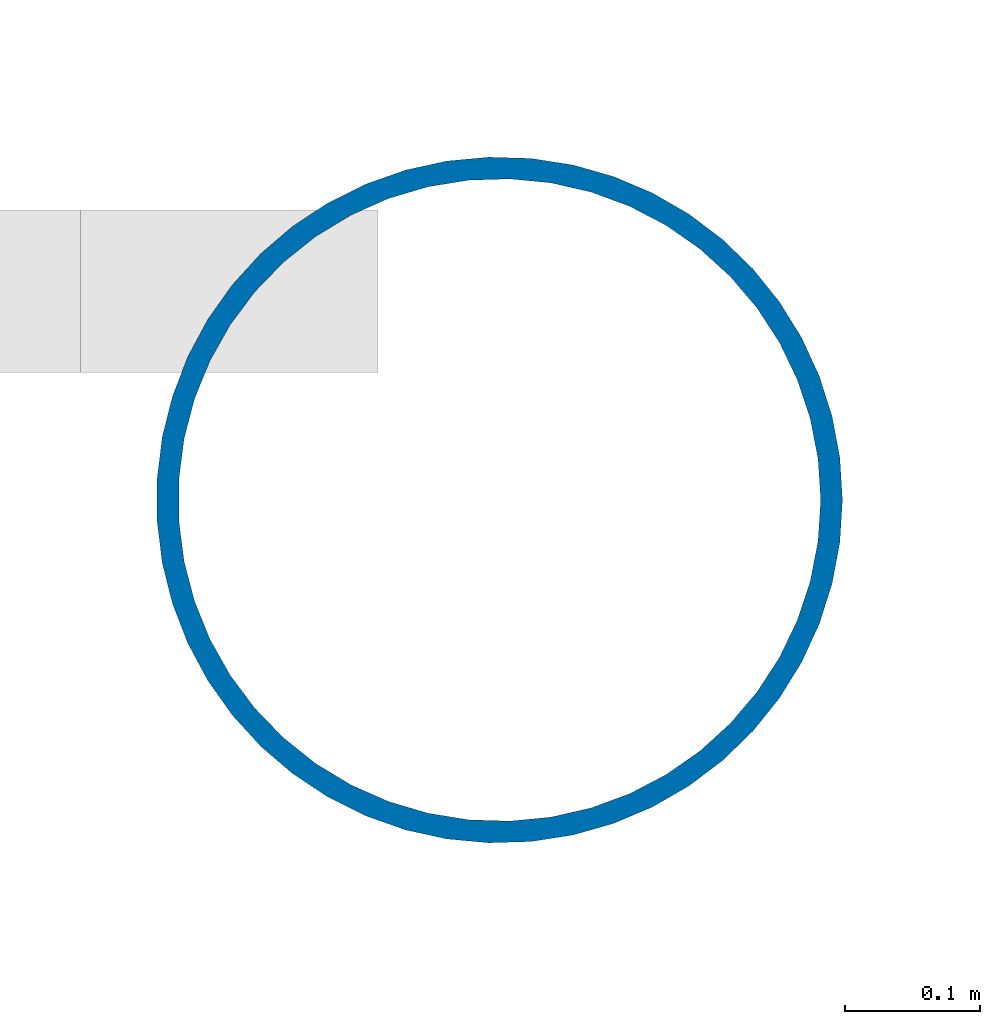
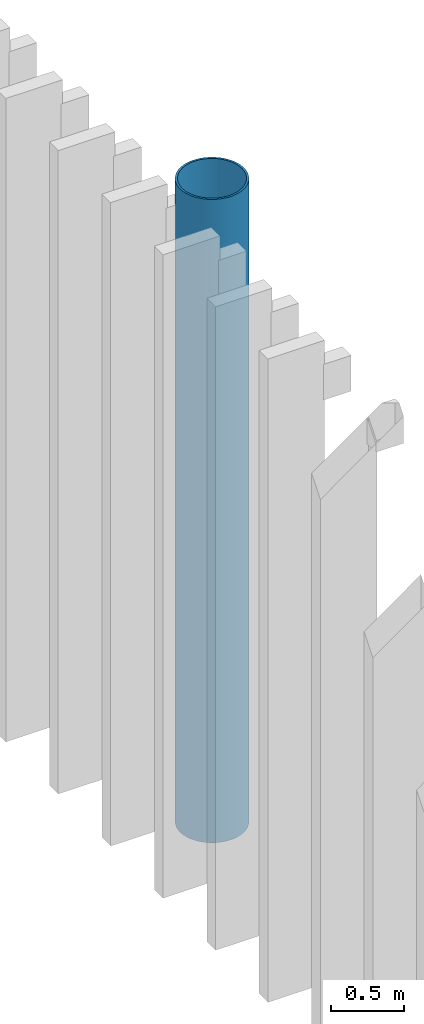
# One storey, part 5 of 170: 1 column.
"""IFC4 building model written with IfcOpenShell, lengths in metres."""

from ifc_helpers import new_model, si_unit, direction, frame, origin, origin_2d, place, context, subcontext, project, spatial, hollow_circle, extrude, material, material_profile, profile_set, type_object, element, save


model = new_model("IFC4")

# Units and contexts
model_context = context("Model", 3, precision=1e-05, world=origin(), true_north=direction((0.0, 1.0)))
body_context = subcontext(model_context, "Body", "Model", "MODEL_VIEW")
ifc_project = project(units=[si_unit("LENGTHUNIT", "METRE"), si_unit("AREAUNIT", "SQUARE_METRE"), si_unit("VOLUMEUNIT", "CUBIC_METRE"), si_unit("PLANEANGLEUNIT", "RADIAN"), si_unit("MASSUNIT", "GRAM", prefix="KILO")], contexts=[model_context])

# Site, building, storey
site_placement = place(None, origin())
site = spatial("IfcSite", under=ifc_project, at=site_placement, CompositionType="ELEMENT")
building_placement = place(site_placement, origin())
building = spatial("IfcBuilding", under=site, at=building_placement, Name="Ravi Spectrum Wholesale Market", CompositionType="ELEMENT")
storey_placement = place(building_placement, frame((0.0, 0.0, 5.39990234375)))
storey = spatial("IfcBuildingStorey", under=building, at=storey_placement, Name="L01", CompositionType="ELEMENT", Elevation=5.39990234375)

# Column
ifc_material = material(Name="Steel S355", Category="steel")
ifc_material_profile = material_profile(ifc_material, hollow_circle(Radius=0.25390625, WallThickness=0.01611328125, at=origin_2d()))
ifc_profile_set = profile_set([ifc_material_profile], Name="Steel S355")
column_type = type_object("IfcColumnType", Name="CHS 508x16 column", PredefinedType="COLUMN", material=ifc_profile_set)
column_placement = place(storey_placement, frame((30.0, 138.0, 0.0), z_axis=(0.0, 0.0, 1.0), x_axis=(1.0, 0.0, 0.0)))
element("IfcColumn", 1, at=column_placement, inside=storey, type_object=column_type, Name="H1-COL-L01-010", PredefinedType="COLUMN", context=body_context, shape_type="SweptSolid", body=[
    extrude(hollow_circle(Radius=0.25390625, WallThickness=0.01611328125, at=origin_2d()), origin(), (0.0, 0.0, 1.0), 5.400146484375),
])

save(model, "model.ifc")
